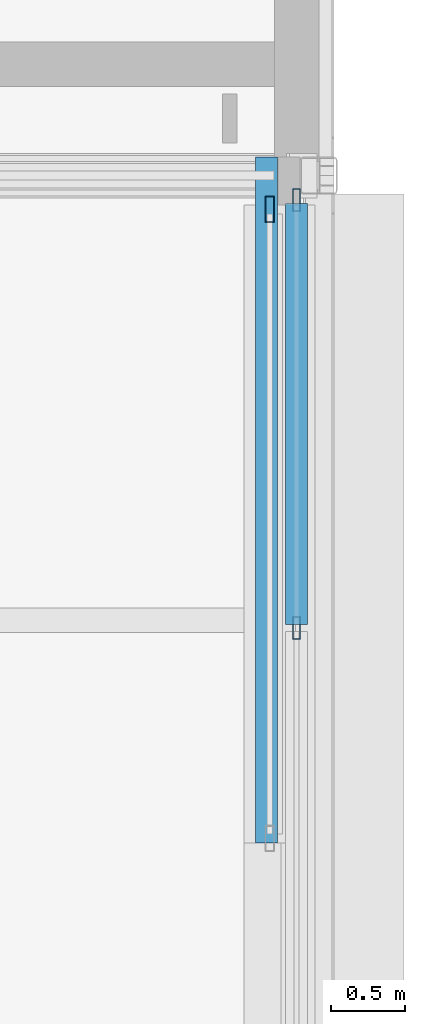
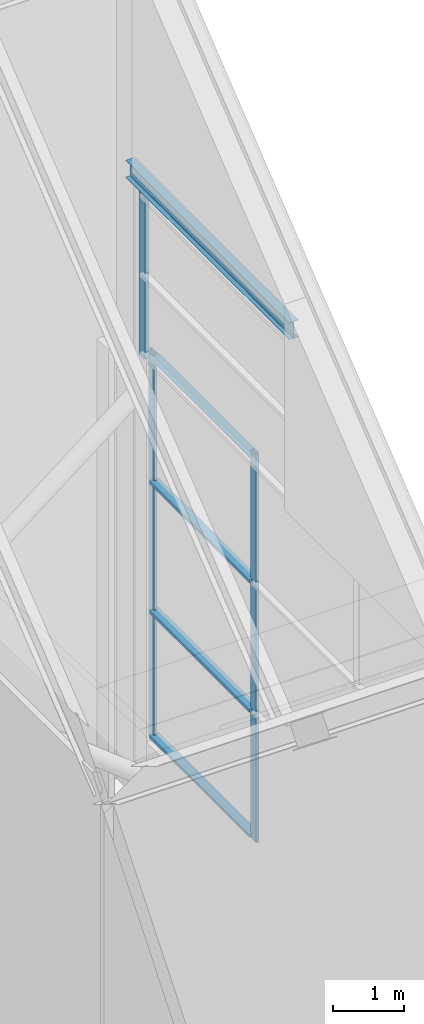
# One storey, part 92 of 144: 7 members, 1 beam, 2 elements without a shape of their own.
"""IFC4 building model written with IfcOpenShell, lengths in metres."""

import ifcopenshell
import ifcopenshell.guid

model = None  # the IFC model being written
_history = None  # IfcOwnerHistory: only IFC2X3 demands one
_inside = {}  # id of a spatial element -> (the spatial element, [elements in it])
_under = {}  # id of a project, library or spatial element -> (it, [spatial elements below it])
_declared = {}  # id of a project -> (the project, [libraries it declares])
_typed = {}  # id of a type object -> (the type object, [elements of that type])
_made_of = {}  # id of a material, layer set ... -> (it, [elements and type objects made of it])


def new_model(schema):
    """Start an empty IFC model of exactly this schema.

    Asked for "IFC4X3", IfcOpenShell would pick the latest addendum, in which some entities
    have other attributes; the version numbers below select the first issue.
    IFC2X3 requires an IfcOwnerHistory on every rooted entity: one is made here for all.
    """
    global model, _history
    if schema == "IFC4X3":
        model = ifcopenshell.file(schema_version=(4, 3, 0, 0))
    else:
        model = ifcopenshell.file(schema=schema)
    _inside.clear()
    _under.clear()
    _declared.clear()
    _typed.clear()
    _made_of.clear()
    _history = None
    if model.schema == "IFC2X3":
        org = make("IfcOrganization", Name="unknown")
        user = make(
            "IfcPersonAndOrganization",
            ThePerson=make("IfcPerson", FamilyName="unknown"),
            TheOrganization=org,
        )
        app = make(
            "IfcApplication",
            ApplicationDeveloper=org,
            Version="unknown",
            ApplicationFullName="unknown",
            ApplicationIdentifier="unknown",
        )
        _history = make(
            "IfcOwnerHistory",
            OwningUser=user,
            OwningApplication=app,
            ChangeAction="ADDED",
            CreationDate=0,
        )
    return model


def make(cls, **values):
    """One entity of the class cls with the attributes given. An attribute that is None is left unset."""
    return model.create_entity(
        cls, **{name: value for name, value in values.items() if value is not None}
    )


def rooted(cls, **values):
    """An entity with a GlobalId (a new one), such as an element, a storey or a relation."""
    return make(cls, GlobalId=ifcopenshell.guid.new(), OwnerHistory=_history, **values)


def si_unit(unit_type, name, prefix=None):
    """IfcSIUnit, for example si_unit("LENGTHUNIT", "METRE", prefix="MILLI")."""
    return make("IfcSIUnit", UnitType=unit_type, Prefix=prefix, Name=name)


def assignment(units):
    """IfcUnitAssignment: the units of a project."""
    return None if units is None else make("IfcUnitAssignment", Units=units)


def point(xyz):
    """IfcCartesianPoint."""
    return None if xyz is None else make("IfcCartesianPoint", Coordinates=xyz)


def direction(xyz):
    """IfcDirection."""
    return None if xyz is None else make("IfcDirection", DirectionRatios=xyz)


def frame(location, z_axis=None, x_axis=None):
    """IfcAxis2Placement3D, a coordinate frame: its origin and axes. An axis left out is left unset."""
    return make(
        "IfcAxis2Placement3D",
        Location=point(location),
        Axis=direction(z_axis),
        RefDirection=direction(x_axis),
    )


def frame_2d(location, x_axis=None):
    """IfcAxis2Placement2D, a coordinate frame in the plane: its origin and x axis."""
    return make(
        "IfcAxis2Placement2D", Location=point(location), RefDirection=direction(x_axis)
    )


def origin():
    """The frame at (0, 0, 0) with its axes left unset."""
    return frame((0.0, 0.0, 0.0))


def origin_2d():
    """The frame at (0, 0) in the plane with its x axis left unset."""
    return frame_2d((0.0, 0.0))


def place(relative_to, where):
    """IfcLocalPlacement: puts the frame where relative to a parent placement (None: the world)."""
    return make(
        "IfcLocalPlacement", PlacementRelTo=relative_to, RelativePlacement=where
    )


def context(
    kind, dimensions, precision=None, world=None, true_north=None, identifier=None
):
    """IfcGeometricRepresentationContext, for example the 3D "Model" context."""
    return make(
        "IfcGeometricRepresentationContext",
        ContextIdentifier=identifier,
        ContextType=kind,
        CoordinateSpaceDimension=dimensions,
        Precision=precision,
        WorldCoordinateSystem=world,
        TrueNorth=true_north,
    )


def subcontext(parent, identifier, kind, view, scale=None):
    """IfcGeometricRepresentationSubContext, for example "Body" below "Model"."""
    return make(
        "IfcGeometricRepresentationSubContext",
        ContextIdentifier=identifier,
        ContextType=kind,
        ParentContext=parent,
        TargetScale=scale,
        TargetView=view,
    )


def project(units=None, contexts=None):
    """IfcProject with its units and contexts."""
    return rooted(
        "IfcProject",
        Name="project",
        RepresentationContexts=contexts,
        UnitsInContext=assignment(units),
    )


def spatial(cls, under=None, at=None, **own):
    """A site, building, storey or space (cls), placed at a placement, below another one or the project."""
    s = rooted(cls, ObjectPlacement=at, **own)
    if under is not None:
        _under.setdefault(under.id(), (under, []))[1].append(s)
    return s


def profile(cls, at=None, kind="AREA", **sizes):
    """A parametric profile (cls). Its sizes go by their IFC names, for example OverallWidth=200.0."""
    return make(cls, ProfileType=kind, Position=at, **sizes)


def hollow_rectangle(**sizes):
    """IfcRectangleHollowProfileDef."""
    return profile("IfcRectangleHollowProfileDef", **sizes)


def i_section(**sizes):
    """IfcIShapeProfileDef."""
    return profile("IfcIShapeProfileDef", **sizes)


def extrude(swept, where, along, depth):
    """IfcExtrudedAreaSolid: the profile swept, set in the frame where, extruded along a direction by depth."""
    return make(
        "IfcExtrudedAreaSolid",
        SweptArea=swept,
        Position=where,
        ExtrudedDirection=direction(along),
        Depth=depth,
    )


def shape(context_of_items, identifier, shape_type, items):
    """IfcShapeRepresentation: the items that make up one representation, for example the "Body"."""
    return make(
        "IfcShapeRepresentation",
        ContextOfItems=context_of_items,
        RepresentationIdentifier=identifier,
        RepresentationType=shape_type,
        Items=items,
    )


def material(Name=None, Category=None):
    """IfcMaterial."""
    return make("IfcMaterial", Name=Name, Category=Category)


def layer(
    of_material, thickness, ventilated=None, Name=None, Category=None, Priority=None
):
    """IfcMaterialLayer: one layer of a wall or slab, of a material (None: an air gap)."""
    return make(
        "IfcMaterialLayer",
        Material=of_material,
        LayerThickness=thickness,
        IsVentilated=ventilated,
        Name=Name,
        Category=Category,
        Priority=Priority,
    )


def layer_set(layers, Name=None):
    """IfcMaterialLayerSet."""
    return make("IfcMaterialLayerSet", MaterialLayers=layers, LayerSetName=Name)


def material_profile(
    of_material, cross_section, Name=None, Category=None, Priority=None
):
    """IfcMaterialProfile: a cross section and its material."""
    return make(
        "IfcMaterialProfile",
        Name=Name,
        Material=of_material,
        Profile=cross_section,
        Priority=Priority,
        Category=Category,
    )


def profile_set(profiles, Name=None, composite=None):
    """IfcMaterialProfileSet."""
    return make(
        "IfcMaterialProfileSet",
        Name=Name,
        MaterialProfiles=profiles,
        CompositeProfile=composite,
    )


def made_of(thing, what):
    """Note that an element or type object is made of a material, layer set ...; save() writes the relation."""
    if what is not None:
        _made_of.setdefault(what.id(), (what, []))[1].append(thing)
    return thing


def type_object(cls, material=None, **own):
    """A type object (cls), such as IfcWallType, which elements share."""
    return made_of(rooted(cls, **own), material)


def element(
    cls,
    number,
    at=None,
    inside=None,
    cuts=None,
    type_object=None,
    material=None,
    context=None,
    identifier="Body",
    shape_type=None,
    held_by="IfcProductDefinitionShape",
    body=None,
    shapes=None,
    **own,
):
    """One element of the class cls, such as IfcWall. Its Tag is "e" and its number.

    at: its placement. inside: the storey or other place that contains it. cuts: it is an
    opening in that element (IfcRelVoidsElement). A single representation is given by context,
    identifier, shape_type and body (its items); several are given by shapes. held_by: the class
    of the entity that holds the representations. save() writes the other relations.
    """
    e = rooted(cls, Tag="e%d" % number, ObjectPlacement=at, **own)
    if body is not None:
        shapes = [shape(context, identifier, shape_type, body)]
    if shapes is not None:
        e.Representation = make(held_by, Representations=shapes)
    if inside is not None:
        _inside.setdefault(inside.id(), (inside, []))[1].append(e)
    if cuts is not None:
        rooted(
            "IfcRelVoidsElement", RelatingBuildingElement=cuts, RelatedOpeningElement=e
        )
    if type_object is not None:
        _typed.setdefault(type_object.id(), (type_object, []))[1].append(e)
    return made_of(e, material)


def aggregate(whole, parts):
    """IfcRelAggregates: a whole, such as a stair, and the parts it consists of."""
    return rooted("IfcRelAggregates", RelatingObject=whole, RelatedObjects=parts)


def save(model, path):
    """Write the relations noted so far, then the file.

    IfcRelAggregates (storeys below a building ...), IfcRelContainedInSpatialStructure (elements
    in a storey), IfcRelDefinesByType, IfcRelAssociatesMaterial and IfcRelDeclares: one each for
    every whole, place, type object, material and project.
    """
    for whole, parts in _under.values():
        aggregate(whole, parts)
    for where, things in _inside.values():
        rooted(
            "IfcRelContainedInSpatialStructure",
            RelatedElements=things,
            RelatingStructure=where,
        )
    for kind, things in _typed.values():
        rooted("IfcRelDefinesByType", RelatedObjects=things, RelatingType=kind)
    for what, things in _made_of.values():
        rooted("IfcRelAssociatesMaterial", RelatedObjects=things, RelatingMaterial=what)
    for by, libraries in _declared.values():
        rooted("IfcRelDeclares", RelatingContext=by, RelatedDefinitions=libraries)
    model.write(path)


model = new_model("IFC4")

# Units and contexts
model_context = context("Model", 3, precision=1e-05, world=origin(), true_north=direction((0.0, 1.0)))
body_context = subcontext(model_context, "Body", "Model", "MODEL_VIEW")
ifc_project = project(units=[si_unit("LENGTHUNIT", "METRE"), si_unit("AREAUNIT", "SQUARE_METRE"), si_unit("VOLUMEUNIT", "CUBIC_METRE"), si_unit("PLANEANGLEUNIT", "RADIAN"), si_unit("MASSUNIT", "GRAM", prefix="KILO")], contexts=[model_context])

# Site, building, storey
site_placement = place(None, origin())
site = spatial("IfcSite", under=ifc_project, at=site_placement, CompositionType="ELEMENT")
building_placement = place(site_placement, origin())
building = spatial("IfcBuilding", under=site, at=building_placement, Name="Shorebreak Coast Museum", CompositionType="ELEMENT")
storey_placement = place(building_placement, frame((0.0, 0.0, 36.0)))
storey = spatial("IfcBuildingStorey", under=building, at=storey_placement, Name="L06", CompositionType="ELEMENT", Elevation=36.0)

# Beam
ifc_material_1 = material(Name="Steel Grade 300", Category="steel")
ifc_material_profile_1 = material_profile(ifc_material_1, i_section(OverallWidth=0.14892578125, OverallDepth=0.298095703125, WebThickness=0.005615234375, FlangeThickness=0.008056640625, FilletRadius=0.012939453125, at=origin_2d()), Name="310UB32.0")
ifc_profile_set_1 = profile_set([ifc_material_profile_1], Name="Steel Grade 300")
beam_type = type_object("IfcBeamType", Name="Gable head beam 310UB32.0", PredefinedType="BEAM", material=ifc_profile_set_1)
beam_placement = place(storey_placement, frame((116.6484375, 76.5, 10.85107421875), z_axis=(0.0, 1.0, 0.0), x_axis=(-1.0, 0.0, 0.0)))
element("IfcBeam", 1, at=beam_placement, inside=storey, type_object=beam_type, Name="Gable head beam FOLD-X-117-2", PredefinedType="BEAM", context=body_context, shape_type="SweptSolid", body=[
    extrude(i_section(OverallWidth=0.14892578125, OverallDepth=0.298095703125, WebThickness=0.005615234375, FlangeThickness=0.008056640625, FilletRadius=0.012939453125, at=origin_2d()), origin(), (0.0, 0.0, 1.0), 4.625),
])

# Curtain wall, member
ifc_material_2 = material(Name="Aluminium", Category="aluminium")
ifc_layer_1 = layer(ifc_material_2, 0.175048828125)
ifc_layer_set_1 = layer_set([ifc_layer_1], Name="Aluminium")
curtain_wall_type_1 = type_object("IfcCurtainWallType", Name="Gable curtain wall", PredefinedType="NOTDEFINED", material=ifc_layer_set_1)
curtain_wall_1_placement = place(storey_placement, origin())
curtain_wall_1 = element("IfcCurtainWall", 2, at=curtain_wall_1_placement, inside=storey, type_object=curtain_wall_type_1, Name="Gable glazing FOLD-X-117-2", PredefinedType="NOTDEFINED")
ifc_material_3 = material(Name="Aluminium", Category="aluminium")
ifc_material_profile_2 = material_profile(ifc_material_3, hollow_rectangle(XDim=0.06005859375, YDim=0.175048828125, WallThickness=0.00390625, at=origin_2d()), Name="AL 175x60 RHS")
ifc_profile_set_2 = profile_set([ifc_material_profile_2], Name="Aluminium")
member_type_1 = type_object("IfcMemberType", Name="Gable mullion 60 x 175", PredefinedType="MULLION", material=ifc_profile_set_2)
member_1_placement = place(storey_placement, frame((116.66943359375, 80.77294921875, 7.800048828125), z_axis=(0.0, 0.0, 1.0), x_axis=(-1.0, 0.0, 0.0)))
member_1 = element("IfcMember", 3, at=member_1_placement, type_object=member_type_1, Name="CW9 mullion 2", PredefinedType="MULLION", context=body_context, shape_type="SweptSolid", body=[
    extrude(hollow_rectangle(XDim=0.06005859375, YDim=0.175048828125, WallThickness=0.00390625, at=origin_2d()), origin(), (0.0, 0.0, 1.0), 2.90185546875),
])
aggregate(curtain_wall_1, [member_1])

# Curtain wall, members
ifc_material_4 = material(Name="Aluminium", Category="aluminium")
ifc_layer_2 = layer(ifc_material_4, 0.14990234375)
ifc_layer_set_2 = layer_set([ifc_layer_2], Name="Aluminium")
curtain_wall_type_2 = type_object("IfcCurtainWallType", Name="Storefront curtain wall", PredefinedType="NOTDEFINED", material=ifc_layer_set_2)
curtain_wall_2_placement = place(storey_placement, origin())
curtain_wall_2 = element("IfcCurtainWall", 4, at=curtain_wall_2_placement, inside=storey, type_object=curtain_wall_type_2, Name="Atrium Hall glazing L06 E 21", PredefinedType="NOTDEFINED")
ifc_material_5 = material(Name="Aluminium", Category="aluminium")
ifc_material_profile_3 = material_profile(ifc_material_5, hollow_rectangle(XDim=0.050048828125, YDim=0.14990234375, WallThickness=0.00390625, at=origin_2d()), Name="AL 150x50 RHS")
ifc_profile_set_3 = profile_set([ifc_material_profile_3], Name="Aluminium")
member_type_2 = type_object("IfcMemberType", Name="Storefront mullion 50 x 150", PredefinedType="MULLION", material=ifc_profile_set_3)
member_2_placement = place(storey_placement, frame((116.85009765625, 77.948974609375, 1.10009765625), z_axis=(0.0, 0.0, 1.0), x_axis=(-1.0, 0.0, 0.0)))
member_2 = element("IfcMember", 5, at=member_2_placement, type_object=member_type_2, Name="CW5 mullion 3", PredefinedType="MULLION", context=body_context, shape_type="SweptSolid", body=[
    extrude(hollow_rectangle(XDim=0.050048828125, YDim=0.14990234375, WallThickness=0.00390625, at=origin_2d()), origin(), (0.0, 0.0, 1.0), 6.699951171875),
])
member_3_placement = place(storey_placement, frame((116.85009765625, 80.8359375, 1.10009765625), z_axis=(0.0, 0.0, 1.0), x_axis=(-1.0, 0.0, 0.0)))
member_3 = element("IfcMember", 6, at=member_3_placement, type_object=member_type_2, Name="CW5 mullion 4", PredefinedType="MULLION", context=body_context, shape_type="SweptSolid", body=[
    extrude(hollow_rectangle(XDim=0.050048828125, YDim=0.14990234375, WallThickness=0.00390625, at=origin_2d()), origin(), (0.0, 0.0, 1.0), 6.699951171875),
])
ifc_material_6 = material(Name="Aluminium", Category="aluminium")
ifc_material_profile_4 = material_profile(ifc_material_6, hollow_rectangle(XDim=0.14990234375, YDim=0.050048828125, WallThickness=0.00390625, at=origin_2d()), Name="AL 50x150 RHS")
ifc_profile_set_4 = profile_set([ifc_material_profile_4], Name="Aluminium")
member_type_3 = type_object("IfcMemberType", Name="Storefront transom 150 x 50", PredefinedType="USERDEFINED", material=ifc_profile_set_4)
member_4_placement = place(storey_placement, frame((116.85009765625, 77.97412109375, 1.175048828125), z_axis=(0.0, 1.0, 0.0), x_axis=(-1.0, 0.0, 0.0)))
member_4 = element("IfcMember", 7, at=member_4_placement, type_object=member_type_3, Name="CW5 transom 3.1", ObjectType="TRANSOM", PredefinedType="USERDEFINED", context=body_context, shape_type="SweptSolid", body=[
    extrude(hollow_rectangle(XDim=0.14990234375, YDim=0.050048828125, WallThickness=0.00390625, at=origin_2d()), origin(), (0.0, 0.0, 1.0), 2.8369140625),
])
member_5_placement = place(storey_placement, frame((116.85009765625, 77.97412109375, 3.333251953125), z_axis=(0.0, 1.0, 0.0), x_axis=(-1.0, 0.0, 0.0)))
member_5 = element("IfcMember", 8, at=member_5_placement, type_object=member_type_3, Name="CW5 transom 3.2", ObjectType="TRANSOM", PredefinedType="USERDEFINED", context=body_context, shape_type="SweptSolid", body=[
    extrude(hollow_rectangle(XDim=0.14990234375, YDim=0.050048828125, WallThickness=0.00390625, at=origin_2d()), origin(), (0.0, 0.0, 1.0), 2.8369140625),
])
member_6_placement = place(storey_placement, frame((116.85009765625, 77.97412109375, 5.566650390625), z_axis=(0.0, 1.0, 0.0), x_axis=(-1.0, 0.0, 0.0)))
member_6 = element("IfcMember", 9, at=member_6_placement, type_object=member_type_3, Name="CW5 transom 3.3", ObjectType="TRANSOM", PredefinedType="USERDEFINED", context=body_context, shape_type="SweptSolid", body=[
    extrude(hollow_rectangle(XDim=0.14990234375, YDim=0.050048828125, WallThickness=0.00390625, at=origin_2d()), origin(), (0.0, 0.0, 1.0), 2.8369140625),
])
member_7_placement = place(storey_placement, frame((116.85009765625, 77.97412109375, 7.72509765625), z_axis=(0.0, 1.0, 0.0), x_axis=(-1.0, 0.0, 0.0)))
member_7 = element("IfcMember", 10, at=member_7_placement, type_object=member_type_3, Name="CW5 transom 3.4", ObjectType="TRANSOM", PredefinedType="USERDEFINED", context=body_context, shape_type="SweptSolid", body=[
    extrude(hollow_rectangle(XDim=0.14990234375, YDim=0.050048828125, WallThickness=0.00390625, at=origin_2d()), origin(), (0.0, 0.0, 1.0), 2.8369140625),
])
aggregate(curtain_wall_2, [member_2, member_3, member_4, member_5, member_6, member_7])

save(model, "model.ifc")
